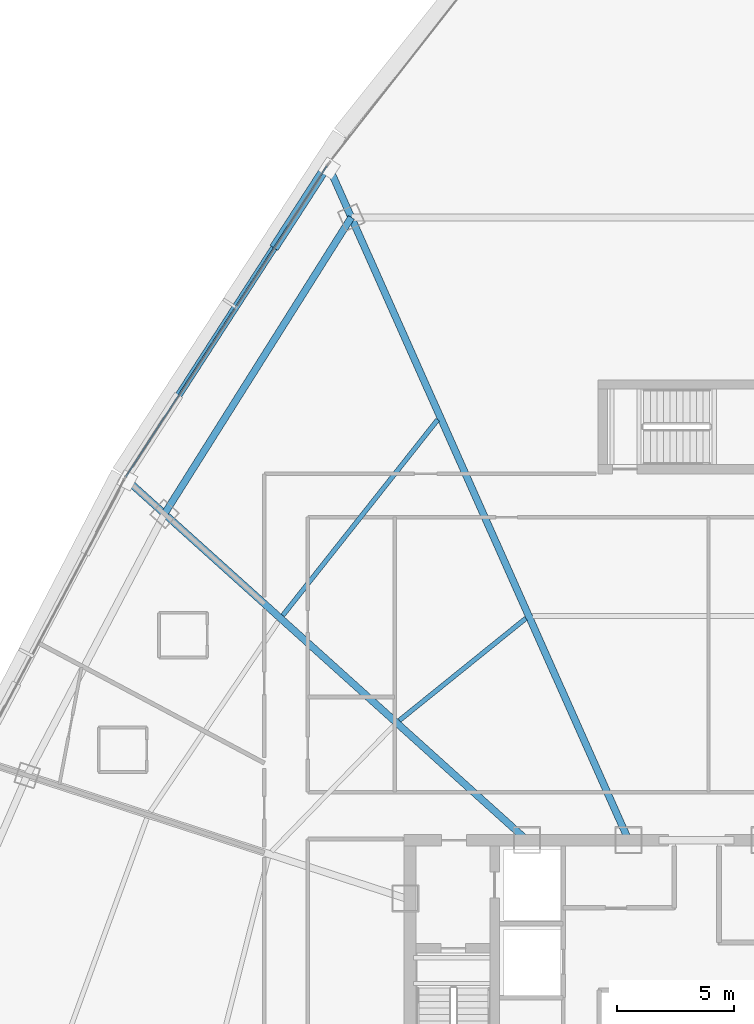
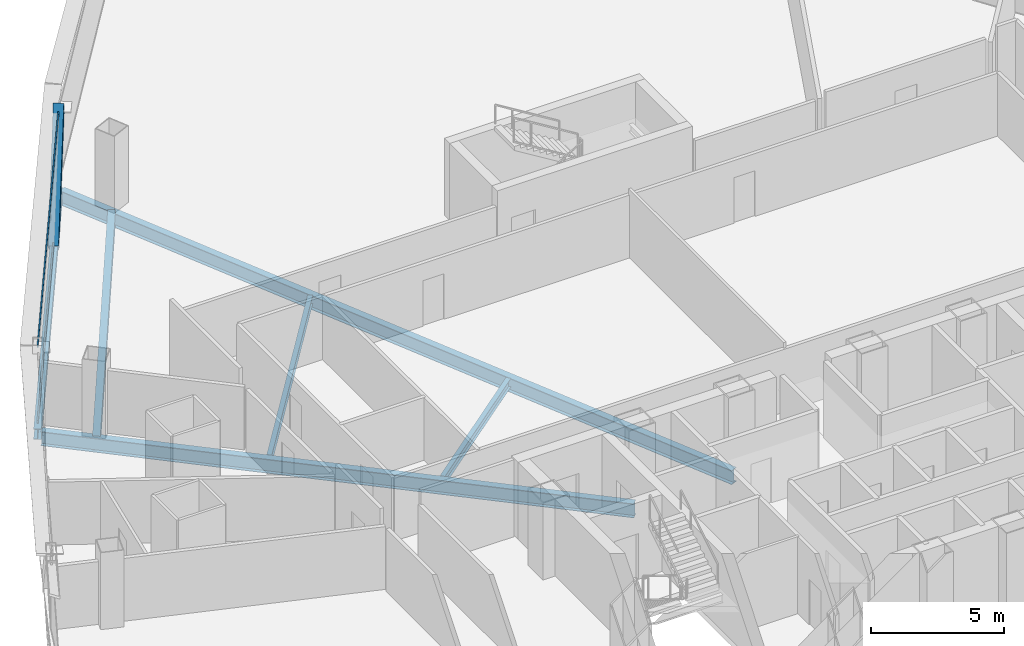
# One storey, part 17 of 40: 6 beams, 3 members, 1 element without a shape of its own.
"""IFC4 building model written with IfcOpenShell, lengths in metres."""

from ifc_helpers import new_model, si_unit, direction, frame, origin, origin_2d, place, context, subcontext, project, spatial, hollow_rectangle, i_section, extrude, source, transform, mapped, material, layer, layer_set, material_profile, profile_set, type_object, element, aggregate, save


model = new_model("IFC4")

# Units and contexts
model_context = context("Model", 3, precision=1e-05, world=origin(), true_north=direction((0.0, 1.0)))
body_context = subcontext(model_context, "Body", "Model", "MODEL_VIEW")
ifc_project = project(units=[si_unit("LENGTHUNIT", "METRE"), si_unit("AREAUNIT", "SQUARE_METRE"), si_unit("VOLUMEUNIT", "CUBIC_METRE"), si_unit("PLANEANGLEUNIT", "RADIAN"), si_unit("MASSUNIT", "GRAM", prefix="KILO"), si_unit("THERMODYNAMICTEMPERATUREUNIT", "KELVIN"), si_unit("POWERUNIT", "WATT")], contexts=[model_context])

# Site, building, storey
site_placement = place(None, origin())
site = spatial("IfcSite", under=ifc_project, at=site_placement, CompositionType="ELEMENT")
building_placement = place(site_placement, origin())
building = spatial("IfcBuilding", under=site, at=building_placement, Name="Yunzhuo Pagoda Commons", CompositionType="ELEMENT")
storey_placement = place(building_placement, frame((0.0, 0.0, 188.56005859375)))
storey = spatial("IfcBuildingStorey", under=building, at=storey_placement, Name="L47", CompositionType="ELEMENT", Elevation=188.56005859375)

# Beams
ifc_material_1 = material(Name="Structural steel Q355B", Category="steel")
ifc_material_profile_1 = material_profile(ifc_material_1, i_section(OverallWidth=0.300048828125, OverallDepth=0.488037109375, WebThickness=0.010986328125, FlangeThickness=0.01806640625, at=origin_2d()), Name="Structural steel Q355B")
ifc_profile_set_1 = profile_set([ifc_material_profile_1], Name="Structural steel Q355B")
beam_type_1 = type_object("IfcBeamType", Name="B-SP1 Beam HM 488x300x11x18", PredefinedType="BEAM", material=ifc_profile_set_1)
shared_shape_1 = source(origin(), body_context, "Body", "SweptSolid", [
    extrude(i_section(OverallWidth=0.300048828125, OverallDepth=0.488037109375, WebThickness=0.010986328125, FlangeThickness=0.01806640625, at=origin_2d()), origin(), (0.0, 0.0, 1.0), 15.899169921875),
])
beam_1_placement = place(storey_placement, frame((32.300537109375, 68.961181640625, -0.504150390625), z_axis=(-0.543169779139, -0.8396228862, 0.0), x_axis=(0.8396228862, -0.543169779139, 0.0)))
element("IfcBeam", 1, at=beam_1_placement, inside=storey, type_object=beam_type_1, Name="L47 facade edge spandrel beam F3.1", PredefinedType="BEAM", context=body_context, shape_type="MappedRepresentation", body=[
    mapped(shared_shape_1, transform((0.0, 0.0, 0.0), scale=1.0)),
])
ifc_material_profile_2 = material_profile(ifc_material_1, i_section(OverallWidth=0.300048828125, OverallDepth=0.64990234375, WebThickness=0.012939453125, FlangeThickness=0.02197265625, at=origin_2d()), Name="Structural steel Q355B")
ifc_profile_set_2 = profile_set([ifc_material_profile_2], Name="Structural steel Q355B")
beam_type_2 = type_object("IfcBeamType", Name="B-RG2 Beam HN 650x300x13x22", PredefinedType="BEAM", material=ifc_profile_set_2)
shared_shape_2 = source(origin(), body_context, "Body", "SweptSolid", [
    extrude(i_section(OverallWidth=0.300048828125, OverallDepth=0.64990234375, WebThickness=0.012939453125, FlangeThickness=0.02197265625, at=origin_2d()), origin(), (0.0, 0.0, 1.0), 14.916015625),
])
beam_2_placement = place(storey_placement, frame((33.301025390625, 66.714599609375, -0.5849609375), z_axis=(-0.533092374013, -0.846057043449, 0.0), x_axis=(0.846057043449, -0.533092374013, 0.0)))
element("IfcBeam", 2, at=beam_2_placement, inside=storey, type_object=beam_type_2, Name="L47 column-ring beam 9", PredefinedType="BEAM", context=body_context, shape_type="MappedRepresentation", body=[
    mapped(shared_shape_2, transform((0.0, 0.0, 0.0), scale=1.0)),
])
shared_shape_3 = source(origin(), body_context, "Body", "SweptSolid", [
    extrude(i_section(OverallWidth=0.300048828125, OverallDepth=0.64990234375, WebThickness=0.012939453125, FlangeThickness=0.02197265625, at=origin_2d()), origin(), (0.0, 0.0, 1.0), 22.87744140625),
])
beam_3_placement = place(storey_placement, frame((23.77978515625, 55.508056640625, -0.5849609375), z_axis=(0.743141834846, -0.669133927776, 0.0), x_axis=(0.669133927776, 0.743141834846, 0.0)))
element("IfcBeam", 3, at=beam_3_placement, inside=storey, type_object=beam_type_2, Name="L47 radial floor girder F3C2", PredefinedType="BEAM", context=body_context, shape_type="MappedRepresentation", body=[
    mapped(shared_shape_3, transform((0.0, 0.0, 0.0), scale=1.0)),
])
shared_shape_4 = source(origin(), body_context, "Body", "SweptSolid", [
    extrude(i_section(OverallWidth=0.300048828125, OverallDepth=0.64990234375, WebThickness=0.012939453125, FlangeThickness=0.02197265625, at=origin_2d()), origin(), (0.0, 0.0, 1.0), 31.327880859375),
])
beam_4_placement = place(storey_placement, frame((32.364013671875, 68.819580078125, -0.5849609375), z_axis=(0.406727681678, -0.913549447461, 0.0), x_axis=(0.913549447461, 0.406727681678, 0.0)))
element("IfcBeam", 4, at=beam_4_placement, inside=storey, type_object=beam_type_2, Name="L47 radial floor girder F3C1", PredefinedType="BEAM", context=body_context, shape_type="MappedRepresentation", body=[
    mapped(shared_shape_4, transform((0.0, 0.0, 0.0), scale=1.0)),
])
ifc_material_profile_3 = material_profile(ifc_material_1, i_section(OverallWidth=0.199951171875, OverallDepth=0.39990234375, WebThickness=0.008056640625, FlangeThickness=0.012939453125, at=origin_2d()), Name="Structural steel Q355B")
ifc_profile_set_3 = profile_set([ifc_material_profile_3], Name="Structural steel Q355B")
beam_type_3 = type_object("IfcBeamType", Name="B-JS1 Joist HN 400x200x8x13", PredefinedType="JOIST", material=ifc_profile_set_3)
shared_shape_5 = source(origin(), body_context, "Body", "SweptSolid", [
    extrude(i_section(OverallWidth=0.199951171875, OverallDepth=0.39990234375, WebThickness=0.008056640625, FlangeThickness=0.012939453125, at=origin_2d()), origin(), (0.0, 0.0, 1.0), 6.916748046875),
])
beam_5_placement = place(storey_placement, frame((40.732421875, 49.645263671875, -0.4599609375), z_axis=(-0.778265575865, -0.627935262127, 0.0), x_axis=(0.627935262127, -0.778265575865, 0.0)))
element("IfcBeam", 5, at=beam_5_placement, inside=storey, type_object=beam_type_3, Name="L47 composite ring joist 1.9", PredefinedType="JOIST", context=body_context, shape_type="MappedRepresentation", body=[
    mapped(shared_shape_5, transform((0.0, 0.0, 0.0), scale=1.0)),
])
shared_shape_6 = source(origin(), body_context, "Body", "SweptSolid", [
    extrude(i_section(OverallWidth=0.199951171875, OverallDepth=0.39990234375, WebThickness=0.008056640625, FlangeThickness=0.012939453125, at=origin_2d()), origin(), (0.0, 0.0, 1.0), 10.625732421875),
])
beam_6_placement = place(storey_placement, frame((36.980224609375, 58.105224609375, -0.4599609375), z_axis=(-0.620589944532, -0.784135269418, 0.0), x_axis=(0.784135269418, -0.620589944532, 0.0)))
element("IfcBeam", 6, at=beam_6_placement, inside=storey, type_object=beam_type_3, Name="L47 composite ring joist 2.9", PredefinedType="JOIST", context=body_context, shape_type="MappedRepresentation", body=[
    mapped(shared_shape_6, transform((0.0, 0.0, 0.0), scale=1.0)),
])

# Member
ifc_material_profile_4 = material_profile(ifc_material_1, hollow_rectangle(XDim=0.39990234375, YDim=0.719970703125, WallThickness=0.02392578125, at=origin_2d()), Name="Structural steel Q355B")
ifc_profile_set_4 = profile_set([ifc_material_profile_4], Name="Structural steel Q355B")
member_type_1 = type_object("IfcMemberType", Name="M-DL2 Brace BOX 720x400x24", PredefinedType="BRACE", material=ifc_profile_set_4)
shared_shape_7 = source(origin(), body_context, "Body", "SweptSolid", [
    extrude(hollow_rectangle(XDim=0.39990234375, YDim=0.719970703125, WallThickness=0.02392578125, at=origin_2d()), origin(), (0.0, 0.0, 1.0), 5.4990234375),
])
member_1_placement = place(storey_placement, frame((30.1416015625, 65.623779296875, -0.260009765625), z_axis=(0.39260104704, 0.606904479593, 0.691036446588), x_axis=(-0.839634419332, 0.543151950999, 0.0)))
element("IfcMember", 7, at=member_1_placement, inside=storey, type_object=member_type_1, Name="L47 facade diamond brace F3.1L", PredefinedType="BRACE", context=body_context, shape_type="MappedRepresentation", body=[
    mapped(shared_shape_7, transform((0.0, 0.0, 0.0), scale=1.0)),
])

# Curtain wall, members
ifc_material_2 = material(Name="Anodized aluminium 6063-T6", Category="aluminium")
ifc_layer = layer(ifc_material_2, 0.14990234375)
ifc_layer_set = layer_set([ifc_layer], Name="Anodized aluminium 6063-T6")
curtain_wall_type = type_object("IfcCurtainWallType", Name="CW-MID Mid-Zone Ribbon Curtain Wall", PredefinedType="NOTDEFINED", material=ifc_layer_set)
curtain_wall_placement = place(storey_placement, origin())
curtain_wall = element("IfcCurtainWall", 8, at=curtain_wall_placement, inside=storey, type_object=curtain_wall_type, Name="L47 curtain wall CW-L47-F3B2", PredefinedType="NOTDEFINED")
ifc_material_profile_5 = material_profile(ifc_material_2, hollow_rectangle(XDim=0.054931640625, YDim=0.1298828125, WallThickness=0.00341796875, at=origin_2d()), Name="Anodized aluminium 6063-T6")
ifc_profile_set_5 = profile_set([ifc_material_profile_5], Name="Anodized aluminium 6063-T6")
member_type_2 = type_object("IfcMemberType", Name="CW-MID-T Transom RHS 130x55x3.5", PredefinedType="USERDEFINED", material=ifc_profile_set_5)
shared_shape_8 = source(origin(), body_context, "Body", "SweptSolid", [
    extrude(hollow_rectangle(XDim=0.054931640625, YDim=0.1298828125, WallThickness=0.00341796875, at=origin_2d()), origin(), (0.0, 0.0, 1.0), 15.779296875),
])
member_2_placement = place(storey_placement, frame((32.26806640625, 68.910888671875, 0.02734375), z_axis=(-0.543164669064, -0.839626191993, 0.0), x_axis=(0.839626191993, -0.543164669064, 0.0)))
member_2 = element("IfcMember", 9, at=member_2_placement, type_object=member_type_2, Name="CW transom 1.1", ObjectType="TRANSOM", PredefinedType="USERDEFINED", context=body_context, shape_type="MappedRepresentation", body=[
    mapped(shared_shape_8, transform((0.0, 0.0, 0.0), scale=1.0)),
])
member_3_placement = place(storey_placement, frame((32.26806640625, 68.910888671875, 3.512451171875), z_axis=(-0.543164669064, -0.839626191993, 0.0), x_axis=(0.839626191993, -0.543164669064, 0.0)))
member_3 = element("IfcMember", 10, at=member_3_placement, type_object=member_type_2, Name="CW transom 1.2", ObjectType="TRANSOM", PredefinedType="USERDEFINED", context=body_context, shape_type="MappedRepresentation", body=[
    mapped(shared_shape_8, transform((0.0, 0.0, 0.0), scale=1.0)),
])
aggregate(curtain_wall, [member_2, member_3])

save(model, "model.ifc")
